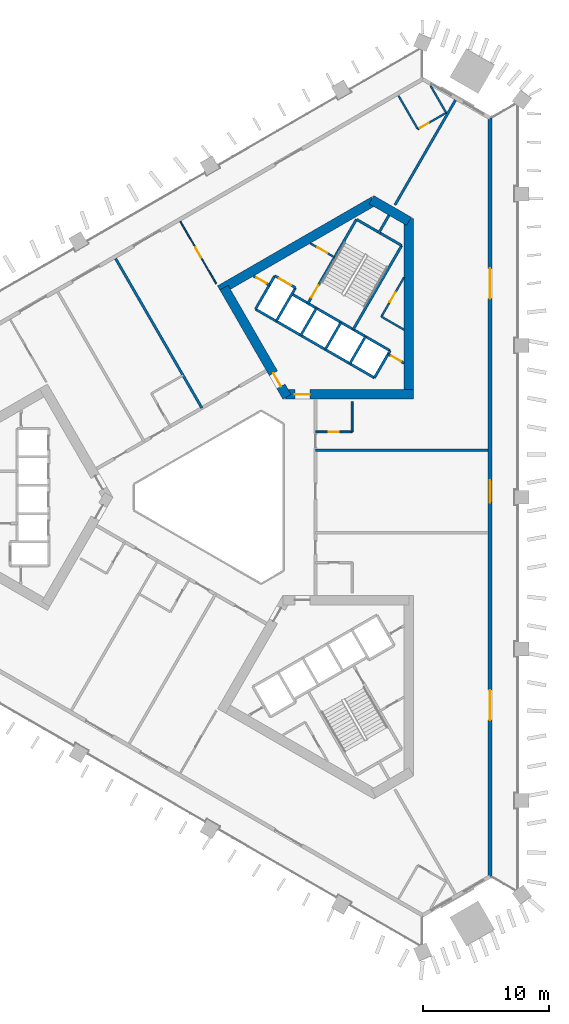
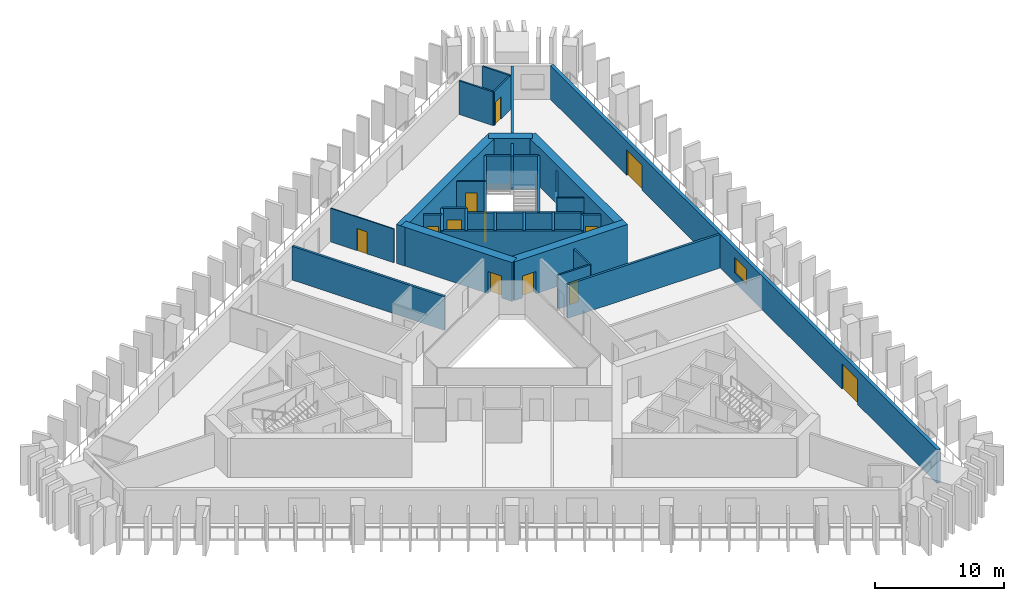
# One storey, part 5 of 10: 33 walls, 13 doors, 1 window, 14 openings.
"""IFC4 building model written with IfcOpenShell, lengths in metres."""

from ifc_helpers import new_model, si_unit, direction, frame, frame_2d, origin, place, context, subcontext, project, spatial, rectangle, extrude, material, layer, layer_set, type_object, element, fill, save


model = new_model("IFC4")

# Units and contexts
model_context = context("Model", 3, precision=1e-05, world=origin(), true_north=direction((0.0, 1.0)))
body_context = subcontext(model_context, "Body", "Model", "MODEL_VIEW")
ifc_project = project(units=[si_unit("LENGTHUNIT", "METRE"), si_unit("AREAUNIT", "SQUARE_METRE"), si_unit("VOLUMEUNIT", "CUBIC_METRE"), si_unit("PLANEANGLEUNIT", "RADIAN"), si_unit("MASSUNIT", "GRAM", prefix="KILO")], contexts=[model_context])

# Site, building, storey
site_placement = place(None, origin())
site = spatial("IfcSite", under=ifc_project, at=site_placement, CompositionType="ELEMENT")
building_placement = place(site_placement, origin())
building = spatial("IfcBuilding", under=site, at=building_placement, Name="Jabali Bay Hotel Tower and Convention Centre", CompositionType="ELEMENT")
storey_placement = place(building_placement, frame((0.0, 0.0, 57.300048828125)))
storey = spatial("IfcBuildingStorey", under=building, at=storey_placement, Name="L12", CompositionType="ELEMENT", Elevation=57.300048828125)

# Wall
ifc_material_1 = material(Name="Concrete C40", Category="concrete")
ifc_layer_1 = layer(ifc_material_1, 0.199951171875)
ifc_layer_set_1 = layer_set([ifc_layer_1], Name="Concrete C40")
wall_type_1 = type_object("IfcWallType", Name="Core partition wall 200", PredefinedType="PARTITIONING", material=ifc_layer_set_1)
wall_1_placement = place(storey_placement, frame((87.090087890625, 100.9404296875, 0.0), z_axis=(0.0, 0.0, 1.0), x_axis=(0.499937194881, 0.866061661301, 0.0)))
element("IfcWall", 1, at=wall_1_placement, inside=storey, type_object=wall_type_1, Name="Core wall 1.5 L12", PredefinedType="PARTITIONING", context=body_context, shape_type="SweptSolid", body=[
    extrude(rectangle(XDim=1.673095703125, YDim=0.199951171875, at=frame_2d((0.83642578125, 0.0))), origin(), (0.0, 0.0, 1.0), 3.199951171875),
])

# Wall, opening, door
wall_2_placement = place(storey_placement, frame((89.130126953125, 90.640625, 0.0), z_axis=(0.0, 0.0, 1.0), x_axis=(-0.866094119867, 0.499880961361, 0.0)))
wall_2 = element("IfcWall", 2, at=wall_2_placement, inside=storey, type_object=wall_type_1, Name="Core wall 1.11 L12", PredefinedType="PARTITIONING", context=body_context, shape_type="SweptSolid", body=[
    extrude(rectangle(XDim=1.466552734375, YDim=0.199951171875, at=frame_2d((0.7333984375, 0.0))), origin(), (0.0, 0.0, 1.0), 3.199951171875),
])
opening_1_placement = place(wall_2_placement, frame((0.283447265625, 0.0, 0.0)))
opening_1 = element("IfcOpeningElement", 3, at=opening_1_placement, cuts=wall_2, Name="Opening D335", PredefinedType="OPENING", context=body_context, shape_type="SweptSolid", body=[
    extrude(rectangle(XDim=0.89990234375, YDim=2.10009765625, at=frame_2d((0.449951171875, 1.050048828125))), frame((0.0, 0.1103515625, 0.0), z_axis=(0.0, -1.0, 0.0), x_axis=(1.0, 0.0, 0.0)), (0.0, 0.0, 1.0), 0.220947265625),
])
ifc_material_2 = material(Name="Fire-rated steel door", Category="steel")
door_type_1 = type_object("IfcDoorType", Name="Vestibule fire door 900 x 2100", OperationType="NOTDEFINED", PredefinedType="NOTDEFINED", material=ifc_material_2)
door_1_placement = place(opening_1_placement, origin())
door_1 = element("IfcDoor", 4, at=door_1_placement, inside=storey, type_object=door_type_1, Name="Vestibule fire door D335", OperationType="SINGLE_SWING_LEFT", OverallHeight=2.10009765625, OverallWidth=0.89990234375, PredefinedType="NOTDEFINED", context=body_context, shape_type="SweptSolid", body=[
    extrude(rectangle(XDim=0.89990234375, YDim=2.10009765625, at=frame_2d((0.449951171875, 1.050048828125))), frame((0.0, 0.02490234375, 0.0), z_axis=(0.0, -1.0, 0.0), x_axis=(1.0, 0.0, 0.0)), (0.0, 0.0, 1.0), 0.050048828125),
])
fill(opening_1, door_1)

wall_3_placement = place(storey_placement, frame((78.43017578125, 96.84130859375, 0.0), z_axis=(0.0, 0.0, 1.0), x_axis=(-0.866045896294, 0.499964504253, 0.0)))
wall_3 = element("IfcWall", 5, at=wall_3_placement, inside=storey, type_object=wall_type_1, Name="Core wall 1.12 L12", PredefinedType="PARTITIONING", context=body_context, shape_type="SweptSolid", body=[
    extrude(rectangle(XDim=1.455078125, YDim=0.199951171875, at=frame_2d((0.7275390625, 0.0))), origin(), (0.0, 0.0, 1.0), 3.199951171875),
])
opening_2_placement = place(wall_3_placement, frame((0.277587890625, 0.0, 0.0)))
opening_2 = element("IfcOpeningElement", 6, at=opening_2_placement, cuts=wall_3, Name="Opening D334", PredefinedType="OPENING", context=body_context, shape_type="SweptSolid", body=[
    extrude(rectangle(XDim=0.89990234375, YDim=2.10009765625, at=frame_2d((0.449951171875, 1.050048828125))), frame((0.0, 0.1103515625, 0.0), z_axis=(0.0, -1.0, 0.0), x_axis=(1.0, 0.0, 0.0)), (0.0, 0.0, 1.0), 0.220947265625),
])
door_2_placement = place(opening_2_placement, origin())
door_2 = element("IfcDoor", 7, at=door_2_placement, inside=storey, type_object=door_type_1, Name="Vestibule fire door D334", OperationType="SINGLE_SWING_LEFT", OverallHeight=2.10009765625, OverallWidth=0.89990234375, PredefinedType="NOTDEFINED", context=body_context, shape_type="SweptSolid", body=[
    extrude(rectangle(XDim=0.89990234375, YDim=2.10009765625, at=frame_2d((0.449951171875, 1.050048828125))), frame((0.0, 0.02490234375, 0.0), z_axis=(0.0, -1.0, 0.0), x_axis=(1.0, 0.0, 0.0)), (0.0, 0.0, 1.0), 0.050048828125),
])
fill(opening_2, door_2)

ifc_material_3 = material(Name="Fire-rated board partition")
ifc_layer_2 = layer(ifc_material_3, 0.14990234375)
ifc_layer_set_2 = layer_set([ifc_layer_2], Name="Fire-rated board partition")
wall_type_2 = type_object("IfcWallType", Name="Core room partition 150", PredefinedType="PARTITIONING", material=ifc_layer_set_2)
wall_4_placement = place(storey_placement, frame((87.321044921875, 94.3408203125, 0.0), z_axis=(0.0, 0.0, 1.0), x_axis=(0.499993116331, 0.866029378036, 0.0)))
wall_4 = element("IfcWall", 8, at=wall_4_placement, inside=storey, type_object=wall_type_2, Name="Core wall 1.1 L12", PredefinedType="PARTITIONING", context=body_context, shape_type="SweptSolid", body=[
    extrude(rectangle(XDim=3.61767578125, YDim=0.14990234375, at=frame_2d((1.808837890625, 0.0))), origin(), (0.0, 0.0, 1.0), 3.199951171875),
])
opening_3_placement = place(wall_4_placement, frame((1.33154296875, 0.0, 0.0)))
opening_3 = element("IfcOpeningElement", 9, at=opening_3_placement, cuts=wall_4, Name="Opening D337", PredefinedType="OPENING", context=body_context, shape_type="SweptSolid", body=[
    extrude(rectangle(XDim=0.89990234375, YDim=2.10009765625, at=frame_2d((0.449951171875, 1.050048828125))), frame((0.0, 0.08544921875, 0.0), z_axis=(0.0, -1.0, 0.0), x_axis=(1.0, 0.0, 0.0)), (0.0, 0.0, 1.0), 0.1708984375),
])
door_type_2 = type_object("IfcDoorType", Name="Core room door 900 x 2100", OperationType="NOTDEFINED", PredefinedType="NOTDEFINED", material=ifc_material_2)
door_3_placement = place(opening_3_placement, origin())
door_3 = element("IfcDoor", 10, at=door_3_placement, inside=storey, type_object=door_type_2, Name="Core room door D337", OperationType="SINGLE_SWING_LEFT", OverallHeight=2.10009765625, OverallWidth=0.89990234375, PredefinedType="NOTDEFINED", context=body_context, shape_type="SweptSolid", body=[
    extrude(rectangle(XDim=0.89990234375, YDim=2.10009765625, at=frame_2d((0.449951171875, 1.050048828125))), frame((0.0, 0.02490234375, 0.0), z_axis=(0.0, -1.0, 0.0), x_axis=(1.0, 0.0, 0.0)), (0.0, 0.0, 1.0), 0.050048828125),
])
fill(opening_3, door_3)

# Wall
wall_5_placement = place(storey_placement, frame((89.130126953125, 93.29638671875, 0.0), z_axis=(0.0, 0.0, 1.0), x_axis=(-0.866033778982, 0.499985493453, 0.0)))
element("IfcWall", 11, at=wall_5_placement, inside=storey, type_object=wall_type_2, Name="Core wall 1.15 L12", PredefinedType="PARTITIONING", context=body_context, shape_type="SweptSolid", body=[
    extrude(rectangle(XDim=2.0888671875, YDim=0.14990234375, at=frame_2d((1.04443359375, 0.0))), origin(), (0.0, 0.0, 1.0), 3.199951171875),
])

# Wall, opening, door
wall_6_placement = place(storey_placement, frame((83.60302734375, 99.05078125, 0.0), z_axis=(0.0, 0.0, 1.0), x_axis=(-0.866047162388, 0.499962311098, 0.0)))
wall_6 = element("IfcWall", 12, at=wall_6_placement, inside=storey, type_object=wall_type_2, Name="Core wall 1.16 L12", PredefinedType="PARTITIONING", context=body_context, shape_type="SweptSolid", body=[
    extrude(rectangle(XDim=2.232177734375, YDim=0.14990234375, at=frame_2d((1.1162109375, 0.0))), origin(), (0.0, 0.0, 1.0), 3.199951171875),
])
opening_4_placement = place(wall_6_placement, frame((0.666015625, 0.0, 0.0)))
opening_4 = element("IfcOpeningElement", 13, at=opening_4_placement, cuts=wall_6, Name="Opening D333", PredefinedType="OPENING", context=body_context, shape_type="SweptSolid", body=[
    extrude(rectangle(XDim=0.89990234375, YDim=2.10009765625, at=frame_2d((0.449951171875, 1.050048828125))), frame((0.0, 0.08544921875, 0.0), z_axis=(0.0, -1.0, 0.0), x_axis=(1.0, 0.0, 0.0)), (0.0, 0.0, 1.0), 0.1708984375),
])
door_4_placement = place(opening_4_placement, origin())
door_4 = element("IfcDoor", 14, at=door_4_placement, inside=storey, type_object=door_type_2, Name="Core room door D333", OperationType="SINGLE_SWING_LEFT", OverallHeight=2.10009765625, OverallWidth=0.89990234375, PredefinedType="NOTDEFINED", context=body_context, shape_type="SweptSolid", body=[
    extrude(rectangle(XDim=0.89990234375, YDim=2.10009765625, at=frame_2d((0.449951171875, 1.050048828125))), frame((0.0, 0.02490234375, 0.0), z_axis=(0.0, -1.0, 0.0), x_axis=(1.0, 0.0, 0.0)), (0.0, 0.0, 1.0), 0.050048828125),
])
fill(opening_4, door_4)

# Walls
ifc_layer_3 = layer(ifc_material_1, 0.199951171875)
ifc_layer_set_3 = layer_set([ifc_layer_3], Name="Concrete C40")
wall_type_3 = type_object("IfcWallType", Name="Core stair wall 200", PredefinedType="SOLIDWALL", material=ifc_layer_set_3)
for number, where, z_axis, x_axis, name in (
    (15, (86.769775390625, 89.48583984375, 0.0), (0.0, 0.0, 1.0), (0.499961042966, 0.86604789447, 0.0), "Core wall 1.0 L12"),
    (16, (84.8212890625, 90.61083984375, 0.0), (0.0, 0.0, 1.0), (0.499961042966, 0.86604789447, 0.0), "Core wall 1.2 L12"),
):
    element("IfcWall", number, at=place(storey_placement, frame(where, z_axis=z_axis, x_axis=x_axis)), inside=storey, type_object=wall_type_3, Name=name, PredefinedType="SOLIDWALL", context=body_context, shape_type="SweptSolid", body=[
        extrude(rectangle(XDim=2.480224609375, YDim=0.199951171875, at=frame_2d((1.240234375, 0.0))), origin(), (0.0, 0.0, 1.0), 3.199951171875),
    ])
wall_7_placement = place(storey_placement, frame((85.0869140625, 93.3212890625, 0.0), z_axis=(0.0, 0.0, 1.0), x_axis=(0.500019787375, 0.866013979237, 0.0)))
element("IfcWall", 17, at=wall_7_placement, inside=storey, type_object=wall_type_3, Name="Core wall 1.3 L12", PredefinedType="SOLIDWALL", context=body_context, shape_type="SweptSolid", body=[
    extrude(rectangle(XDim=7.699951171875, YDim=0.199951171875, at=frame_2d((3.85009765625, 0.0))), origin(), (0.0, 0.0, 1.0), 3.199951171875),
])
for number, where, z_axis, x_axis, name in (
    (18, (82.872802734375, 91.73583984375, 0.0), (0.0, 0.0, 1.0), (0.499961042966, 0.86604789447, 0.0), "Core wall 1.4 L12"),
    (19, (80.924072265625, 92.86083984375, 0.0), (0.0, 0.0, 1.0), (0.499961042966, 0.86604789447, 0.0), "Core wall 1.6 L12"),
):
    element("IfcWall", number, at=place(storey_placement, frame(where, z_axis=z_axis, x_axis=x_axis)), inside=storey, type_object=wall_type_3, Name=name, PredefinedType="SOLIDWALL", context=body_context, shape_type="SweptSolid", body=[
        extrude(rectangle(XDim=2.480224609375, YDim=0.199951171875, at=frame_2d((1.240234375, 0.0))), origin(), (0.0, 0.0, 1.0), 3.199951171875),
    ])

# Wall, opening, door
wall_8_placement = place(storey_placement, frame((81.492919921875, 95.396240234375, 0.0), z_axis=(0.0, 0.0, 1.0), x_axis=(0.500006057782, 0.866021906294, 0.0)))
wall_8 = element("IfcWall", 20, at=wall_8_placement, inside=storey, type_object=wall_type_3, Name="Core wall 1.7 L12", PredefinedType="SOLIDWALL", context=body_context, shape_type="SweptSolid", body=[
    extrude(rectangle(XDim=7.7001953125, YDim=0.199951171875, at=frame_2d((3.85009765625, 0.0))), origin(), (0.0, 0.0, 1.0), 3.199951171875),
])
opening_5_placement = place(wall_8_placement, frame((0.550048828125, 0.0, 0.0)))
opening_5 = element("IfcOpeningElement", 21, at=opening_5_placement, cuts=wall_8, Name="Opening D336", PredefinedType="OPENING", context=body_context, shape_type="SweptSolid", body=[
    extrude(rectangle(XDim=1.10009765625, YDim=2.10009765625, at=frame_2d((0.550048828125, 1.050048828125))), frame((0.0, 0.1103515625, 0.0), z_axis=(0.0, -1.0, 0.0), x_axis=(1.0, 0.0, 0.0)), (0.0, 0.0, 1.0), 0.220947265625),
])
door_type_3 = type_object("IfcDoorType", Name="Stair fire door 1100 x 2100", OperationType="NOTDEFINED", PredefinedType="NOTDEFINED", material=ifc_material_2)
door_5_placement = place(opening_5_placement, origin())
door_5 = element("IfcDoor", 22, at=door_5_placement, inside=storey, type_object=door_type_3, Name="Stair fire door D336", OperationType="SINGLE_SWING_RIGHT", OverallHeight=2.10009765625, OverallWidth=1.10009765625, PredefinedType="NOTDEFINED", context=body_context, shape_type="SweptSolid", body=[
    extrude(rectangle(XDim=1.10009765625, YDim=2.10009765625, at=frame_2d((0.550048828125, 1.050048828125))), frame((0.0, 0.02490234375, 0.0), z_axis=(0.0, -1.0, 0.0), x_axis=(1.0, 0.0, 0.0)), (0.0, 0.0, 1.0), 0.050048828125),
])
fill(opening_5, door_5)

# Walls
for number, where, z_axis, x_axis, name in (
    (23, (78.9755859375, 93.98583984375, 0.0), (0.0, 0.0, 1.0), (0.499944174705, 0.866057632134, 0.0), "Core wall 1.8 L12"),
    (24, (77.330078125, 94.93603515625, 0.0), (0.0, 0.0, 1.0), (0.500038867431, 0.8660029625, 0.0), "Core wall 1.9 L12"),
):
    element("IfcWall", number, at=place(storey_placement, frame(where, z_axis=z_axis, x_axis=x_axis)), inside=storey, type_object=wall_type_3, Name=name, PredefinedType="SOLIDWALL", context=body_context, shape_type="SweptSolid", body=[
        extrude(rectangle(XDim=3.050048828125, YDim=0.199951171875, at=frame_2d((1.52490234375, 0.0))), origin(), (0.0, 0.0, 1.0), 3.199951171875),
    ])
wall_9_placement = place(storey_placement, frame((86.769775390625, 89.48583984375, 0.0), z_axis=(0.0, 0.0, 1.0), x_axis=(-0.86601811187, 0.500012629753, 0.0)))
element("IfcWall", 25, at=wall_9_placement, inside=storey, type_object=wall_type_3, Name="Core wall 1.10 L12", PredefinedType="SOLIDWALL", context=body_context, shape_type="SweptSolid", body=[
    extrude(rectangle(XDim=10.900146484375, YDim=0.199951171875, at=frame_2d((5.4501953125, 0.0))), origin(), (0.0, 0.0, 1.0), 3.199951171875),
])
wall_10_placement = place(storey_placement, frame((88.009765625, 91.6337890625, 0.0), z_axis=(0.0, 0.0, 1.0), x_axis=(-0.866024315419, 0.5000018851, 0.0)))
element("IfcWall", 26, at=wall_10_placement, inside=storey, type_object=wall_type_3, Name="Core wall 1.13 L12", PredefinedType="SOLIDWALL", context=body_context, shape_type="SweptSolid", body=[
    extrude(rectangle(XDim=9.0, YDim=0.199951171875, at=frame_2d((4.5, 0.0))), origin(), (0.0, 0.0, 1.0), 3.199951171875),
])

# Wall, opening, door
wall_11_placement = place(storey_placement, frame((80.50048828125, 96.62744140625, 0.0), z_axis=(0.0, 0.0, 1.0), x_axis=(-0.86601224135, 0.500022797313, 0.0)))
wall_11 = element("IfcWall", 27, at=wall_11_placement, inside=storey, type_object=wall_type_3, Name="Core wall 1.14 L12", PredefinedType="SOLIDWALL", context=body_context, shape_type="SweptSolid", body=[
    extrude(rectangle(XDim=1.89990234375, YDim=0.199951171875, at=frame_2d((0.949951171875, 0.0))), origin(), (0.0, 0.0, 1.0), 3.199951171875),
])
opening_6_placement = place(wall_11_placement, frame((0.39990234375, 0.0, 0.0)))
opening_6 = element("IfcOpeningElement", 28, at=opening_6_placement, cuts=wall_11, Name="Opening LD10-L12", PredefinedType="OPENING", context=body_context, shape_type="SweptSolid", body=[
    extrude(rectangle(XDim=1.10009765625, YDim=2.10009765625, at=frame_2d((0.550048828125, 1.050048828125))), frame((0.0, 0.1103515625, 0.0), z_axis=(0.0, -1.0, 0.0), x_axis=(1.0, 0.0, 0.0)), (0.0, 0.0, 1.0), 0.220947265625),
])
ifc_material_4 = material(Name="Stainless steel landing door", Category="steel")
door_type_4 = type_object("IfcDoorType", Name="Landing door 1100 x 2100", OperationType="NOTDEFINED", PredefinedType="NOTDEFINED", material=ifc_material_4)
door_6_placement = place(opening_6_placement, origin())
door_6 = element("IfcDoor", 29, at=door_6_placement, inside=storey, type_object=door_type_4, Name="Landing doors LD10-L12", OperationType="SLIDING_TO_RIGHT", OverallHeight=2.10009765625, OverallWidth=1.10009765625, PredefinedType="NOTDEFINED", context=body_context, shape_type="SweptSolid", body=[
    extrude(rectangle(XDim=1.10009765625, YDim=2.10009765625, at=frame_2d((0.550048828125, 1.050048828125))), frame((0.0, 0.02490234375, 0.0), z_axis=(0.0, -1.0, 0.0), x_axis=(1.0, 0.0, 0.0)), (0.0, 0.0, 1.0), 0.050048828125),
])
fill(opening_6, door_6)

# Wall
wall_12_placement = place(storey_placement, frame((88.93701171875, 99.989501953125, 0.0), z_axis=(0.0, 0.0, 1.0), x_axis=(-0.866004344652, 0.500036473714, 0.0)))
element("IfcWall", 30, at=wall_12_placement, inside=storey, type_object=wall_type_3, Name="Core wall 1.17 L12", PredefinedType="SOLIDWALL", context=body_context, shape_type="SweptSolid", body=[
    extrude(rectangle(XDim=4.150146484375, YDim=0.199951171875, at=frame_2d((2.0751953125, 0.0))), origin(), (0.0, 0.0, 1.0), 3.199951171875),
])

# Wall, opening, door
ifc_material_5 = material(Name="Concrete C60", Category="concrete")
ifc_layer_4 = layer(ifc_material_5, 0.75)
ifc_layer_set_4 = layer_set([ifc_layer_4], Name="Concrete C60")
wall_type_4 = type_object("IfcWallType", Name="Core wall 750", PredefinedType="SHEAR", material=ifc_layer_set_4)
wall_13_placement = place(storey_placement, frame((79.716552734375, 88.169189453125, 0.0), z_axis=(0.0, 0.0, 1.0), x_axis=(1.0, 0.0, 0.0)))
wall_13 = element("IfcWall", 31, at=wall_13_placement, inside=storey, type_object=wall_type_4, Name="Core wall 2.1 L12", PredefinedType="SHEAR", context=body_context, shape_type="SweptSolid", body=[
    extrude(rectangle(XDim=10.163330078125, YDim=0.75, at=frame_2d((5.08154296875, 0.0))), origin(), (0.0, 0.0, 1.0), 3.699951171875),
])
opening_7_placement = place(wall_13_placement, frame((0.7333984375, 0.0, 0.0)))
opening_7 = element("IfcOpeningElement", 32, at=opening_7_placement, cuts=wall_13, Name="Opening D331", PredefinedType="OPENING", context=body_context, shape_type="SweptSolid", body=[
    extrude(rectangle(XDim=1.199951171875, YDim=2.10009765625, at=frame_2d((0.60009765625, 1.050048828125))), frame((0.0, 0.385498046875, 0.0), z_axis=(0.0, -1.0, 0.0), x_axis=(1.0, 0.0, 0.0)), (0.0, 0.0, 1.0), 0.77099609375),
])
door_type_5 = type_object("IfcDoorType", Name="Corridor end fire door 1200 x 2100", OperationType="NOTDEFINED", PredefinedType="NOTDEFINED", material=ifc_material_2)
door_7_placement = place(opening_7_placement, origin())
door_7 = element("IfcDoor", 33, at=door_7_placement, inside=storey, type_object=door_type_5, Name="Corridor end fire door D331", OperationType="SINGLE_SWING_RIGHT", OverallHeight=2.10009765625, OverallWidth=1.199951171875, PredefinedType="NOTDEFINED", context=body_context, shape_type="SweptSolid", body=[
    extrude(rectangle(XDim=1.199951171875, YDim=2.10009765625, at=frame_2d((0.60009765625, 1.050048828125))), frame((0.0, 0.02490234375, 0.0), z_axis=(0.0, -1.0, 0.0), x_axis=(1.0, 0.0, 0.0)), (0.0, 0.0, 1.0), 0.050048828125),
])
fill(opening_7, door_7)

# Walls
wall_14_placement = place(storey_placement, frame((89.5048828125, 88.169189453125, 0.0), z_axis=(0.0, 0.0, 1.0), x_axis=(0.0, 1.0, 0.0)))
element("IfcWall", 34, at=wall_14_placement, inside=storey, type_object=wall_type_4, Name="Core wall 2.2 L12", PredefinedType="SHEAR", context=body_context, shape_type="SweptSolid", body=[
    extrude(rectangle(XDim=13.95849609375, YDim=0.75, at=frame_2d((6.979248046875, 0.0))), origin(), (0.0, 0.0, 1.0), 3.699951171875),
])
wall_15_placement = place(storey_placement, frame((89.5048828125, 101.9111328125, 0.0), z_axis=(0.0, 0.0, 1.0), x_axis=(-0.866017201164, 0.500014207086, 0.0)))
element("IfcWall", 35, at=wall_15_placement, inside=storey, type_object=wall_type_4, Name="Core wall 2.3 L12", PredefinedType="SHEAR", context=body_context, shape_type="SweptSolid", body=[
    extrude(rectangle(XDim=3.4287109375, YDim=0.75, at=frame_2d((1.71435546875, 0.0))), origin(), (0.0, 0.0, 1.0), 3.699951171875),
])
wall_16_placement = place(storey_placement, frame((86.72314453125, 103.517333984375, 0.0), z_axis=(0.0, 0.0, 1.0), x_axis=(-0.866020851292, -0.500007885066, 0.0)))
element("IfcWall", 36, at=wall_16_placement, inside=storey, type_object=wall_type_4, Name="Core wall 2.4 L12", PredefinedType="SHEAR", context=body_context, shape_type="SweptSolid", body=[
    extrude(rectangle(XDim=14.116943359375, YDim=0.75, at=frame_2d((7.05859375, 0.0))), origin(), (0.0, 0.0, 1.0), 3.699951171875),
])

# Wall, opening, door
wall_17_placement = place(storey_placement, frame((74.822265625, 96.646240234375, 0.0), z_axis=(0.0, 0.0, 1.0), x_axis=(0.499997052475, -0.866027105532, 0.0)))
wall_17 = element("IfcWall", 37, at=wall_17_placement, inside=storey, type_object=wall_type_4, Name="Core wall 2.5 L12", PredefinedType="SHEAR", context=body_context, shape_type="SweptSolid", body=[
    extrude(rectangle(XDim=10.0048828125, YDim=0.75, at=frame_2d((5.00244140625, 0.0))), origin(), (0.0, 0.0, 1.0), 3.699951171875),
])
opening_8_placement = place(wall_17_placement, frame((7.85498046875, 0.0, 0.0)))
opening_8 = element("IfcOpeningElement", 38, at=opening_8_placement, cuts=wall_17, Name="Opening D332", PredefinedType="OPENING", context=body_context, shape_type="SweptSolid", body=[
    extrude(rectangle(XDim=1.199951171875, YDim=2.10009765625, at=frame_2d((0.60009765625, 1.050048828125))), frame((0.0, 0.385498046875, 0.0), z_axis=(0.0, -1.0, 0.0), x_axis=(1.0, 0.0, 0.0)), (0.0, 0.0, 1.0), 0.77099609375),
])
door_8_placement = place(opening_8_placement, origin())
door_8 = element("IfcDoor", 39, at=door_8_placement, inside=storey, type_object=door_type_5, Name="Corridor end fire door D332", OperationType="SINGLE_SWING_LEFT", OverallHeight=2.10009765625, OverallWidth=1.199951171875, PredefinedType="NOTDEFINED", context=body_context, shape_type="SweptSolid", body=[
    extrude(rectangle(XDim=1.199951171875, YDim=2.10009765625, at=frame_2d((0.60009765625, 1.050048828125))), frame((0.0, 0.02490234375, 0.0), z_axis=(0.0, -1.0, 0.0), x_axis=(1.0, 0.0, 0.0)), (0.0, 0.0, 1.0), 0.050048828125),
])
fill(opening_8, door_8)

# Wall, openings, doors, window
ifc_layer_5 = layer(ifc_material_1, 0.300048828125)
ifc_layer_set_5 = layer_set([ifc_layer_5], Name="Concrete C40")
wall_type_5 = type_object("IfcWallType", Name="External wall 300", PredefinedType="SOLIDWALL", material=ifc_layer_set_5)
wall_18_placement = place(storey_placement, frame((95.94873046875, 110.1201171875, 0.0), z_axis=(0.0, 0.0, 1.0), x_axis=(0.0, -1.0, 0.0)))
wall_18 = element("IfcWall", 40, at=wall_18_placement, inside=storey, type_object=wall_type_5, Name="External wall east face L12", PredefinedType="SOLIDWALL", context=body_context, shape_type="SweptSolid", body=[
    extrude(rectangle(XDim=60.240234375, YDim=0.300048828125, at=frame_2d((30.1201171875, 0.0))), origin(), (0.0, 0.0, 1.0), 3.199951171875),
])
opening_9_placement = place(wall_18_placement, frame((45.42626953125, 0.0, 0.0)))
opening_9 = element("IfcOpeningElement", 41, at=opening_9_placement, cuts=wall_18, Name="Opening SD1", PredefinedType="OPENING", context=body_context, shape_type="SweptSolid", body=[
    extrude(rectangle(XDim=2.39990234375, YDim=2.39990234375, at=frame_2d((1.199951171875, 1.199951171875))), frame((0.0, 0.16064453125, 0.0), z_axis=(0.0, -1.0, 0.0), x_axis=(1.0, 0.0, 0.0)), (0.0, 0.0, 1.0), 0.321044921875),
])
opening_10_placement = place(wall_18_placement, frame((11.946044921875, 0.0, 0.0)))
opening_10 = element("IfcOpeningElement", 42, at=opening_10_placement, cuts=wall_18, Name="Opening SD1", PredefinedType="OPENING", context=body_context, shape_type="SweptSolid", body=[
    extrude(rectangle(XDim=2.39990234375, YDim=2.39990234375, at=frame_2d((1.199951171875, 1.199951171875))), frame((0.0, 0.16064453125, 0.0), z_axis=(0.0, -1.0, 0.0), x_axis=(1.0, 0.0, 0.0)), (0.0, 0.0, 1.0), 0.321044921875),
])
opening_11_placement = place(wall_18_placement, frame((28.75244140625, 0.0, 0.89990234375)))
opening_11 = element("IfcOpeningElement", 43, at=opening_11_placement, cuts=wall_18, Name="Opening W1", PredefinedType="OPENING", context=body_context, shape_type="SweptSolid", body=[
    extrude(rectangle(XDim=1.800048828125, YDim=1.5, at=frame_2d((0.89990234375, 0.75))), frame((0.0, 0.16064453125, 0.0), z_axis=(0.0, -1.0, 0.0), x_axis=(1.0, 0.0, 0.0)), (0.0, 0.0, 1.0), 0.321044921875),
])
ifc_material_6 = material(Name="Glass", Category="glass")
door_type_6 = type_object("IfcDoorType", Name="Loggia sliding door 2400 x 2400", OperationType="NOTDEFINED", PredefinedType="NOTDEFINED", material=ifc_material_6)
door_9_placement = place(opening_9_placement, origin())
door_9 = element("IfcDoor", 44, at=door_9_placement, inside=storey, type_object=door_type_6, Name="Loggia sliding door 1201", OperationType="SLIDING_TO_LEFT", OverallHeight=2.39990234375, OverallWidth=2.39990234375, PredefinedType="NOTDEFINED", context=body_context, shape_type="SweptSolid", body=[
    extrude(rectangle(XDim=2.39990234375, YDim=2.39990234375, at=frame_2d((1.199951171875, 1.199951171875))), frame((0.0, 0.02490234375, 0.0), z_axis=(0.0, -1.0, 0.0), x_axis=(1.0, 0.0, 0.0)), (0.0, 0.0, 1.0), 0.050048828125),
])
fill(opening_9, door_9)
door_10_placement = place(opening_10_placement, origin())
door_10 = element("IfcDoor", 45, at=door_10_placement, inside=storey, type_object=door_type_6, Name="Loggia sliding door 1202", OperationType="SLIDING_TO_RIGHT", OverallHeight=2.39990234375, OverallWidth=2.39990234375, PredefinedType="NOTDEFINED", context=body_context, shape_type="SweptSolid", body=[
    extrude(rectangle(XDim=2.39990234375, YDim=2.39990234375, at=frame_2d((1.199951171875, 1.199951171875))), frame((0.0, 0.02490234375, 0.0), z_axis=(0.0, -1.0, 0.0), x_axis=(1.0, 0.0, 0.0)), (0.0, 0.0, 1.0), 0.050048828125),
])
fill(opening_10, door_10)
window_type = type_object("IfcWindowType", Name="Window 1800 x 1500", PartitioningType="SINGLE_PANEL", PredefinedType="WINDOW", material=ifc_material_6)
window_placement = place(opening_11_placement, origin())
window = element("IfcWindow", 46, at=window_placement, inside=storey, type_object=window_type, Name="Window", OverallHeight=1.5, OverallWidth=1.800048828125, PartitioningType="SINGLE_PANEL", PredefinedType="WINDOW", context=body_context, shape_type="SweptSolid", body=[
    extrude(rectangle(XDim=1.800048828125, YDim=1.5, at=frame_2d((0.89990234375, 0.75))), frame((0.0, 0.030029296875, 0.0), z_axis=(0.0, -1.0, 0.0), x_axis=(1.0, 0.0, 0.0)), (0.0, 0.0, 1.0), 0.06005859375),
])
fill(opening_11, window)

# Wall, opening, door
ifc_material_7 = material(Name="Plasterboard on steel stud", Category="steel")
ifc_layer_6 = layer(ifc_material_7, 0.10009765625)
ifc_layer_set_6 = layer_set([ifc_layer_6], Name="Plasterboard on steel stud")
wall_type_6 = type_object("IfcWallType", Name="Partition 100 unit", PredefinedType="PARTITIONING", material=ifc_layer_set_6)
wall_19_placement = place(storey_placement, frame((74.21044921875, 96.955810546875, 0.0), z_axis=(0.0, 0.0, 1.0), x_axis=(-0.499976111731, 0.866039195244, 0.0)))
wall_19 = element("IfcWall", 47, at=wall_19_placement, inside=storey, type_object=wall_type_6, Name="Partition P02 L12 009", PredefinedType="PARTITIONING", context=body_context, shape_type="SweptSolid", body=[
    extrude(rectangle(XDim=5.720947265625, YDim=0.10009765625, at=frame_2d((2.8603515625, 0.0))), origin(), (0.0, 0.0, 1.0), 3.199951171875),
])
opening_12_placement = place(wall_19_placement, frame((2.409912109375, 0.0, 0.0)))
opening_12 = element("IfcOpeningElement", 48, at=opening_12_placement, cuts=wall_19, Name="Opening 1207", PredefinedType="OPENING", context=body_context, shape_type="SweptSolid", body=[
    extrude(rectangle(XDim=0.89990234375, YDim=2.10009765625, at=frame_2d((0.449951171875, 1.050048828125))), frame((0.0, 0.060546875, 0.0), z_axis=(0.0, -1.0, 0.0), x_axis=(1.0, 0.0, 0.0)), (0.0, 0.0, 1.0), 0.12109375),
])
ifc_material_8 = material(Name="Timber", Category="wood")
door_type_7 = type_object("IfcDoorType", Name="Internal door 900 x 2100", OperationType="NOTDEFINED", PredefinedType="NOTDEFINED", material=ifc_material_8)
door_11_placement = place(opening_12_placement, origin())
door_11 = element("IfcDoor", 49, at=door_11_placement, inside=storey, type_object=door_type_7, Name="Door 1207", OperationType="SINGLE_SWING_LEFT", OverallHeight=2.10009765625, OverallWidth=0.89990234375, PredefinedType="NOTDEFINED", context=body_context, shape_type="SweptSolid", body=[
    extrude(rectangle(XDim=0.89990234375, YDim=2.10009765625, at=frame_2d((0.449951171875, 1.050048828125))), frame((0.0, 0.02490234375, 0.0), z_axis=(0.0, -1.0, 0.0), x_axis=(1.0, 0.0, 0.0)), (0.0, 0.0, 1.0), 0.050048828125),
])
fill(opening_12, door_11)

# Wall
ifc_layer_7 = layer(ifc_material_7, 0.14990234375)
ifc_layer_set_7 = layer_set([ifc_layer_7], Name="Plasterboard on steel stud")
wall_type_7 = type_object("IfcWallType", Name="Partition 150 wet", PredefinedType="PARTITIONING", material=ifc_layer_set_7)
wall_20_placement = place(storey_placement, frame((85.0, 87.59521484375, 0.0), z_axis=(0.0, 0.0, 1.0), x_axis=(0.0, -1.0, 0.0)))
element("IfcWall", 50, at=wall_20_placement, inside=storey, type_object=wall_type_7, Name="Partition P03 L12 006", PredefinedType="PARTITIONING", context=body_context, shape_type="SweptSolid", body=[
    extrude(rectangle(XDim=2.40087890625, YDim=0.14990234375, at=frame_2d((1.200439453125, 0.0))), origin(), (0.0, 0.0, 1.0), 3.199951171875),
])

# Wall, opening, door
wall_21_placement = place(storey_placement, frame((85.0, 85.1943359375, 0.0), z_axis=(0.0, 0.0, 1.0), x_axis=(-1.0, 0.0, 0.0)))
wall_21 = element("IfcWall", 51, at=wall_21_placement, inside=storey, type_object=wall_type_7, Name="Partition P03 L12 007", PredefinedType="PARTITIONING", context=body_context, shape_type="SweptSolid", body=[
    extrude(rectangle(XDim=2.89990234375, YDim=0.14990234375, at=frame_2d((1.449951171875, 0.0))), origin(), (0.0, 0.0, 1.0), 3.199951171875),
])
opening_13_placement = place(wall_21_placement, frame((1.050048828125, 0.0, 0.0)))
opening_13 = element("IfcOpeningElement", 52, at=opening_13_placement, cuts=wall_21, Name="Opening 1204", PredefinedType="OPENING", context=body_context, shape_type="SweptSolid", body=[
    extrude(rectangle(XDim=0.800048828125, YDim=2.10009765625, at=frame_2d((0.39990234375, 1.050048828125))), frame((0.0, 0.08544921875, 0.0), z_axis=(0.0, -1.0, 0.0), x_axis=(1.0, 0.0, 0.0)), (0.0, 0.0, 1.0), 0.1708984375),
])
door_type_8 = type_object("IfcDoorType", Name="En-suite door 800 x 2100", OperationType="NOTDEFINED", PredefinedType="NOTDEFINED", material=ifc_material_8)
door_12_placement = place(opening_13_placement, origin())
door_12 = element("IfcDoor", 53, at=door_12_placement, inside=storey, type_object=door_type_8, Name="Door 1204", OperationType="SINGLE_SWING_LEFT", OverallHeight=2.10009765625, OverallWidth=0.800048828125, PredefinedType="NOTDEFINED", context=body_context, shape_type="SweptSolid", body=[
    extrude(rectangle(XDim=0.800048828125, YDim=2.10009765625, at=frame_2d((0.39990234375, 1.050048828125))), frame((0.0, 0.02490234375, 0.0), z_axis=(0.0, -1.0, 0.0), x_axis=(1.0, 0.0, 0.0)), (0.0, 0.0, 1.0), 0.050048828125),
])
fill(opening_13, door_12)

# Wall
wall_22_placement = place(storey_placement, frame((91.228759765625, 112.673095703125, 0.0), z_axis=(0.0, 0.0, 1.0), x_axis=(0.50000366821, -0.866023285932, 0.0)))
element("IfcWall", 54, at=wall_22_placement, inside=storey, type_object=wall_type_7, Name="Partition P03 L12 011", PredefinedType="PARTITIONING", context=body_context, shape_type="SweptSolid", body=[
    extrude(rectangle(XDim=2.47998046875, YDim=0.14990234375, at=frame_2d((1.239990234375, 0.0))), origin(), (0.0, 0.0, 1.0), 3.199951171875),
])

# Wall, opening, door
wall_23_placement = place(storey_placement, frame((92.46875, 110.525390625, 0.0), z_axis=(0.0, 0.0, 1.0), x_axis=(-0.866062058628, -0.499936506574, 0.0)))
wall_23 = element("IfcWall", 55, at=wall_23_placement, inside=storey, type_object=wall_type_7, Name="Partition P03 L12 012", PredefinedType="PARTITIONING", context=body_context, shape_type="SweptSolid", body=[
    extrude(rectangle(XDim=2.599853515625, YDim=0.14990234375, at=frame_2d((1.2998046875, 0.0))), origin(), (0.0, 0.0, 1.0), 3.199951171875),
])
opening_14_placement = place(wall_23_placement, frame((1.60009765625, 0.0, 0.0)))
opening_14 = element("IfcOpeningElement", 56, at=opening_14_placement, cuts=wall_23, Name="Opening 1208", PredefinedType="OPENING", context=body_context, shape_type="SweptSolid", body=[
    extrude(rectangle(XDim=0.800048828125, YDim=2.10009765625, at=frame_2d((0.39990234375, 1.050048828125))), frame((0.0, 0.08544921875, 0.0), z_axis=(0.0, -1.0, 0.0), x_axis=(1.0, 0.0, 0.0)), (0.0, 0.0, 1.0), 0.1708984375),
])
door_13_placement = place(opening_14_placement, origin())
door_13 = element("IfcDoor", 57, at=door_13_placement, inside=storey, type_object=door_type_8, Name="Door 1208", OperationType="SINGLE_SWING_RIGHT", OverallHeight=2.10009765625, OverallWidth=0.800048828125, PredefinedType="NOTDEFINED", context=body_context, shape_type="SweptSolid", body=[
    extrude(rectangle(XDim=0.800048828125, YDim=2.10009765625, at=frame_2d((0.39990234375, 1.050048828125))), frame((0.0, 0.02490234375, 0.0), z_axis=(0.0, -1.0, 0.0), x_axis=(1.0, 0.0, 0.0)), (0.0, 0.0, 1.0), 0.050048828125),
])
fill(opening_14, door_13)

# Walls
wall_24_placement = place(storey_placement, frame((90.217041015625, 109.2255859375, 0.0), z_axis=(0.0, 0.0, 1.0), x_axis=(-0.500038109094, 0.866003400371, 0.0)))
element("IfcWall", 58, at=wall_24_placement, inside=storey, type_object=wall_type_7, Name="Partition P03 L12 013", PredefinedType="PARTITIONING", context=body_context, shape_type="SweptSolid", body=[
    extrude(rectangle(XDim=3.057373046875, YDim=0.14990234375, at=frame_2d((1.52880859375, 0.0))), origin(), (0.0, 0.0, 1.0), 3.199951171875),
])
ifc_layer_8 = layer(ifc_material_7, 0.199951171875)
ifc_layer_set_8 = layer_set([ifc_layer_8], Name="Plasterboard on steel stud")
wall_type_8 = type_object("IfcWallType", Name="Partition 200 party", PredefinedType="PARTITIONING", material=ifc_layer_set_8)
wall_25_placement = place(storey_placement, frame((95.7998046875, 83.7412109375, 0.0), z_axis=(0.0, 0.0, 1.0), x_axis=(-1.0, 0.0, 0.0)))
element("IfcWall", 59, at=wall_25_placement, inside=storey, type_object=wall_type_8, Name="Partition P01 L12 005", PredefinedType="PARTITIONING", context=body_context, shape_type="SweptSolid", body=[
    extrude(rectangle(XDim=13.69970703125, YDim=0.199951171875, at=frame_2d((6.849853515625, 0.0))), origin(), (0.0, 0.0, 1.0), 3.199951171875),
])
wall_26_placement = place(storey_placement, frame((93.205078125, 111.5322265625, 0.0), z_axis=(0.0, 0.0, 1.0), x_axis=(-0.49998419723, -0.866034527326, 0.0)))
element("IfcWall", 60, at=wall_26_placement, inside=storey, type_object=wall_type_8, Name="Partition P01 L12 008", PredefinedType="PARTITIONING", context=body_context, shape_type="SweptSolid", body=[
    extrude(rectangle(XDim=9.608154296875, YDim=0.199951171875, at=frame_2d((4.80419921875, 0.0))), origin(), (0.0, 0.0, 1.0), 3.199951171875),
])
wall_27_placement = place(storey_placement, frame((66.219970703125, 98.948486328125, 0.0), z_axis=(0.0, 0.0, 1.0), x_axis=(0.500006802525, -0.866021476309, 0.0)))
element("IfcWall", 61, at=wall_27_placement, inside=storey, type_object=wall_type_8, Name="Partition P01 L12 010", PredefinedType="PARTITIONING", context=body_context, shape_type="SweptSolid", body=[
    extrude(rectangle(XDim=13.699951171875, YDim=0.199951171875, at=frame_2d((6.85009765625, 0.0))), origin(), (0.0, 0.0, 1.0), 3.199951171875),
])

save(model, "model.ifc")
